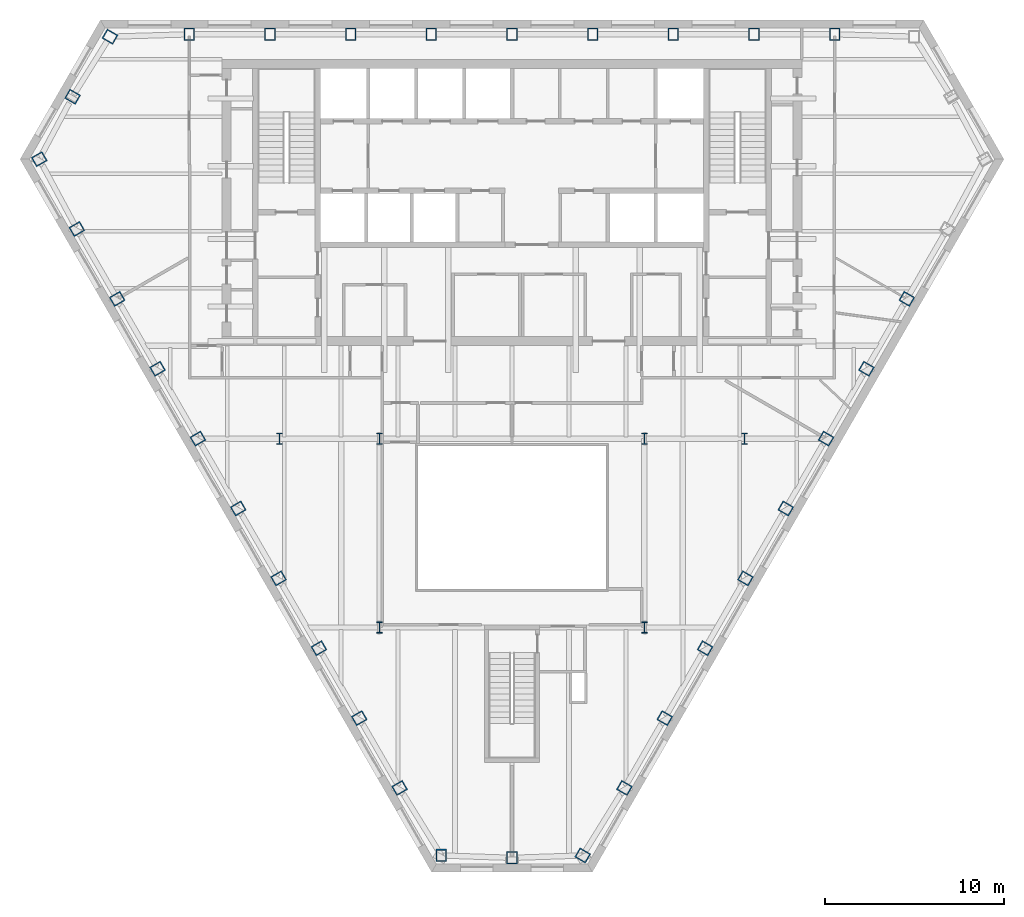
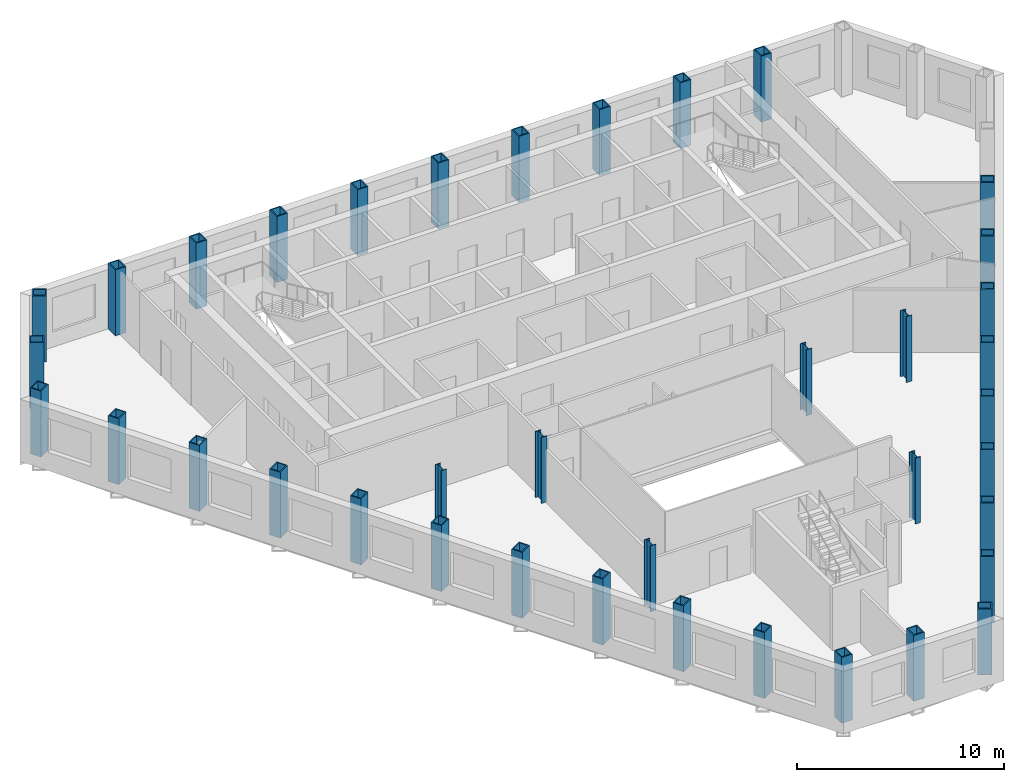
# One storey, part 1 of 11: 38 columns.
"""IFC4 building model written with IfcOpenShell, lengths in metres."""

from ifc_helpers import new_model, si_unit, direction, frame, origin, origin_2d, place, context, subcontext, project, spatial, hollow_rectangle, i_section, extrude, material, material_profile, profile_set, type_object, element, save


model = new_model("IFC4")

# Units and contexts
model_context = context("Model", 3, precision=1e-05, world=origin(), true_north=direction((0.0, 1.0)))
body_context = subcontext(model_context, "Body", "Model", "MODEL_VIEW")
ifc_project = project(units=[si_unit("LENGTHUNIT", "METRE"), si_unit("AREAUNIT", "SQUARE_METRE"), si_unit("VOLUMEUNIT", "CUBIC_METRE"), si_unit("PLANEANGLEUNIT", "RADIAN"), si_unit("MASSUNIT", "GRAM", prefix="KILO")], contexts=[model_context])

# Site, building, storey
site_placement = place(None, origin())
site = spatial("IfcSite", under=ifc_project, at=site_placement, CompositionType="ELEMENT")
building_placement = place(site_placement, origin())
building = spatial("IfcBuilding", under=site, at=building_placement, Name="Njiva Tower", CompositionType="ELEMENT")
storey_placement = place(building_placement, frame((0.0, 0.0, 139.8)))
storey = spatial("IfcBuildingStorey", under=building, at=storey_placement, Name="L29", CompositionType="ELEMENT", Elevation=139.8)

# Columns
ifc_material = material(Name="Steel S355 J2", Category="steel")
ifc_material_profile_1 = material_profile(ifc_material, i_section(OverallWidth=0.305, OverallDepth=0.62, WebThickness=0.021, FlangeThickness=0.04, at=origin_2d()), Name="HEM 600")
ifc_profile_set_1 = profile_set([ifc_material_profile_1], Name="Steel S355 J2")
column_type_1 = type_object("IfcColumnType", Name="C10 Interior column HEM 600", PredefinedType="COLUMN", material=ifc_profile_set_1)
for number, where, z_axis, x_axis, name in (
    (1, (7.4, -3.2, 0.0), (0.0, 0.0, 1.0), (1.0, 0.0, 0.0), "Interior column S10-C37"),
    (2, (-7.4, -3.2, 0.0), (0.0, 0.0, 1.0), (1.0, 0.0, 0.0), "Interior column S10-C38"),
    (3, (7.4, -13.75, 0.0), (0.0, 0.0, 1.0), (1.0, 0.0, 0.0), "Interior column S10-C39"),
    (4, (-7.4, -13.75, 0.0), (0.0, 0.0, 1.0), (1.0, 0.0, 0.0), "Interior column S10-C40"),
    (5, (13.0, -3.2, 0.0), (0.0, 0.0, 1.0), (1.0, 0.0, 0.0), "Interior column S10-C41"),
    (6, (-13.0, -3.2, 0.0), (0.0, 0.0, 1.0), (1.0, 0.0, 0.0), "Interior column S10-C42"),
):
    element("IfcColumn", number, at=place(storey_placement, frame(where, z_axis=z_axis, x_axis=x_axis)), inside=storey, type_object=column_type_1, Name=name, PredefinedType="COLUMN", context=body_context, shape_type="SweptSolid", body=[
        extrude(i_section(OverallWidth=0.305, OverallDepth=0.62, WebThickness=0.021, FlangeThickness=0.04, at=origin_2d()), origin(), (0.0, 0.0, 1.0), 3.9),
    ])
ifc_material_profile_2 = material_profile(ifc_material, hollow_rectangle(XDim=0.6, YDim=0.7, WallThickness=0.06, at=origin_2d()), Name="BOX 700x600x60")
ifc_profile_set_2 = profile_set([ifc_material_profile_2], Name="Steel S355 J2")
column_type_2 = type_object("IfcColumnType", Name="C9 Perimeter tube column BOX 700x600x60", PredefinedType="COLUMN", material=ifc_profile_set_2)
for number, where, z_axis, x_axis, name in (
    (7, (18.034, 19.4, 0.0), (0.0, 0.0, 1.0), (-1.0, 0.0, 0.0), "Perimeter tube column S10-C02"),
    (8, (13.526, 19.4, 0.0), (0.0, 0.0, 1.0), (-1.0, 0.0, 0.0), "Perimeter tube column S10-C03"),
    (9, (9.017, 19.4, 0.0), (0.0, 0.0, 1.0), (-1.0, 0.0, 0.0), "Perimeter tube column S10-C04"),
    (10, (4.509, 19.4, 0.0), (0.0, 0.0, 1.0), (-1.0, 0.0, 0.0), "Perimeter tube column S10-C05"),
    (11, (0.0, 19.4, 0.0), (0.0, 0.0, 1.0), (-1.0, 0.0, 0.0), "Perimeter tube column S10-C06"),
    (12, (-4.509, 19.4, 0.0), (0.0, 0.0, 1.0), (-1.0, 0.0, 0.0), "Perimeter tube column S10-C07"),
    (13, (-9.017, 19.4, 0.0), (0.0, 0.0, 1.0), (-1.0, 0.0, 0.0), "Perimeter tube column S10-C08"),
    (14, (-13.526, 19.4, 0.0), (0.0, 0.0, 1.0), (-1.0, 0.0, 0.0), "Perimeter tube column S10-C09"),
    (15, (-18.034, 19.4, 0.0), (0.0, 0.0, 1.0), (-1.0, 0.0, 0.0), "Perimeter tube column S10-C10"),
    (16, (-22.466, 19.267, 0.0), (0.0, 0.0, 1.0), (-0.5, -0.866025403784, 0.0), "Perimeter tube column S10-C11"),
    (17, (-24.557, 15.912, 0.0), (0.0, 0.0, 1.0), (-0.5, -0.866025403784, 0.0), "Perimeter tube column S10-C12"),
    (18, (-26.418, 12.423, 0.0), (0.0, 0.0, 1.0), (0.5, -0.866025403784, 0.0), "Perimeter tube column S10-C13"),
    (19, (-24.317, 8.519, 0.0), (0.0, 0.0, 1.0), (0.5, -0.866025403784, 0.0), "Perimeter tube column S10-C14"),
    (20, (-22.063, 4.614, 0.0), (0.0, 0.0, 1.0), (0.5, -0.866025403784, 0.0), "Perimeter tube column S10-C15"),
    (21, (-19.808, 0.709, 0.0), (0.0, 0.0, 1.0), (0.5, -0.866025403784, 0.0), "Perimeter tube column S10-C16"),
    (22, (-17.554, -3.195, 0.0), (0.0, 0.0, 1.0), (0.5, -0.866025403784, 0.0), "Perimeter tube column S10-C17"),
    (23, (-15.3, -7.1, 0.0), (0.0, 0.0, 1.0), (0.5, -0.866025403784, 0.0), "Perimeter tube column S10-C18"),
    (24, (-13.045, -11.004, 0.0), (0.0, 0.0, 1.0), (0.5, -0.866025403784, 0.0), "Perimeter tube column S10-C19"),
    (25, (-10.791, -14.909, 0.0), (0.0, 0.0, 1.0), (0.5, -0.866025403784, 0.0), "Perimeter tube column S10-C20"),
    (26, (-8.537, -18.814, 0.0), (0.0, 0.0, 1.0), (0.5, -0.866025403784, 0.0), "Perimeter tube column S10-C21"),
    (27, (-6.282, -22.718, 0.0), (0.0, 0.0, 1.0), (0.5, -0.866025403784, 0.0), "Perimeter tube column S10-C22"),
    (28, (-3.951, -26.49, 0.0), (0.0, 0.0, 1.0), (1.0, 0.0, 0.0), "Perimeter tube column S10-C23"),
    (29, (0.0, -26.623, 0.0), (0.0, 0.0, 1.0), (1.0, 0.0, 0.0), "Perimeter tube column S10-C24"),
    (30, (3.951, -26.49, 0.0), (0.0, 0.0, 1.0), (0.5, 0.866025403784, 0.0), "Perimeter tube column S10-C25"),
    (31, (6.282, -22.718, 0.0), (0.0, 0.0, 1.0), (0.5, 0.866025403784, 0.0), "Perimeter tube column S10-C26"),
    (32, (8.537, -18.814, 0.0), (0.0, 0.0, 1.0), (0.5, 0.866025403784, 0.0), "Perimeter tube column S10-C27"),
    (33, (10.791, -14.909, 0.0), (0.0, 0.0, 1.0), (0.5, 0.866025403784, 0.0), "Perimeter tube column S10-C28"),
    (34, (13.045, -11.004, 0.0), (0.0, 0.0, 1.0), (0.5, 0.866025403784, 0.0), "Perimeter tube column S10-C29"),
    (35, (15.3, -7.1, 0.0), (0.0, 0.0, 1.0), (0.5, 0.866025403784, 0.0), "Perimeter tube column S10-C30"),
    (36, (17.554, -3.195, 0.0), (0.0, 0.0, 1.0), (0.5, 0.866025403784, 0.0), "Perimeter tube column S10-C31"),
    (37, (19.808, 0.709, 0.0), (0.0, 0.0, 1.0), (0.5, 0.866025403784, 0.0), "Perimeter tube column S10-C32"),
    (38, (22.063, 4.614, 0.0), (0.0, 0.0, 1.0), (0.5, 0.866025403784, 0.0), "Perimeter tube column S10-C33"),
):
    element("IfcColumn", number, at=place(storey_placement, frame(where, z_axis=z_axis, x_axis=x_axis)), inside=storey, type_object=column_type_2, Name=name, PredefinedType="COLUMN", context=body_context, shape_type="SweptSolid", body=[
        extrude(hollow_rectangle(XDim=0.6, YDim=0.7, WallThickness=0.06, at=origin_2d()), origin(), (0.0, 0.0, 1.0), 3.9),
    ])

save(model, "model.ifc")
